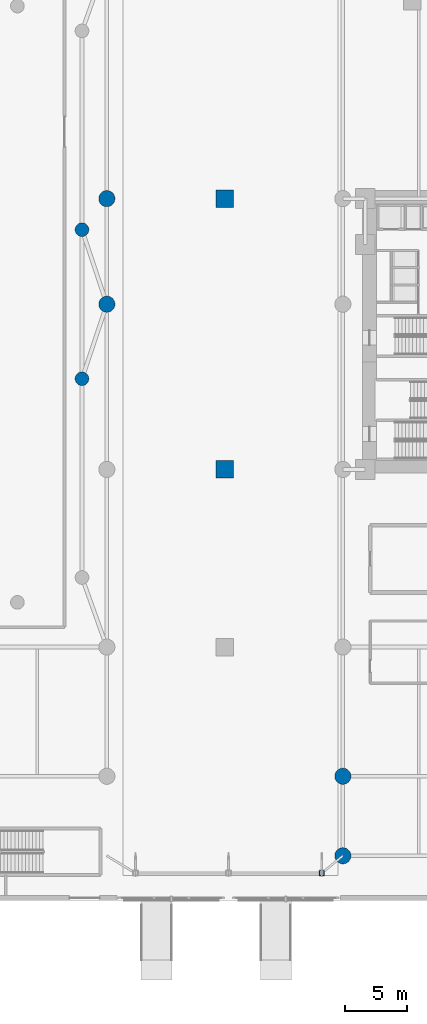
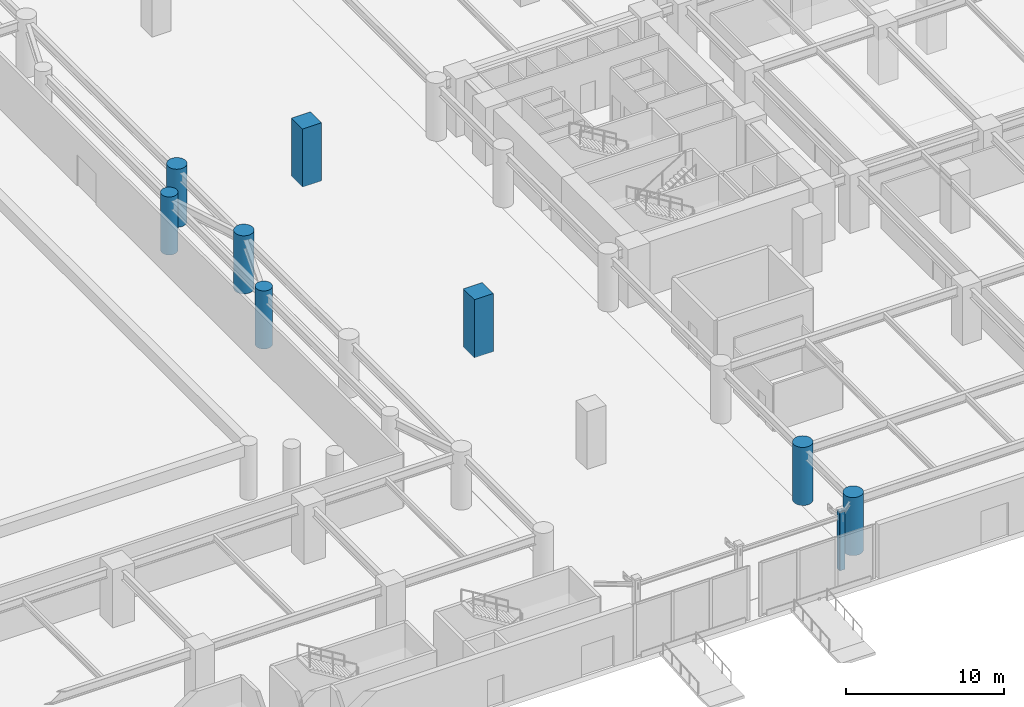
# One storey, part 4 of 42: 9 columns.
"""IFC4 building model written with IfcOpenShell, lengths in metres."""

from ifc_helpers import new_model, si_unit, direction, frame, origin, origin_2d, place, context, subcontext, project, spatial, rectangle, hollow_rectangle, circle, extrude, material, material_profile, profile_set, type_object, element, save


model = new_model("IFC4")

# Units and contexts
model_context = context("Model", 3, precision=1e-05, world=origin(), true_north=direction((0.0, 1.0)))
body_context = subcontext(model_context, "Body", "Model", "MODEL_VIEW")
ifc_project = project(units=[si_unit("LENGTHUNIT", "METRE"), si_unit("AREAUNIT", "SQUARE_METRE"), si_unit("VOLUMEUNIT", "CUBIC_METRE"), si_unit("PLANEANGLEUNIT", "RADIAN"), si_unit("MASSUNIT", "GRAM", prefix="KILO")], contexts=[model_context])

# Site, building, storey
site_placement = place(None, origin())
site = spatial("IfcSite", under=ifc_project, at=site_placement, CompositionType="ELEMENT")
building_placement = place(site_placement, origin())
building = spatial("IfcBuilding", under=site, at=building_placement, Name="Narakoshi Arena Tower", CompositionType="ELEMENT")
storey_placement = place(building_placement, origin())
storey = spatial("IfcBuildingStorey", under=building, at=storey_placement, Name="L00", CompositionType="ELEMENT", Elevation=0.0)

# Columns
ifc_material_1 = material(Name="Concrete C50/60", Category="concrete")
ifc_material_profile_1 = material_profile(ifc_material_1, circle(Radius=0.550048828125, at=origin_2d()), Name="RCC1100")
ifc_profile_set_1 = profile_set([ifc_material_profile_1], Name="Concrete C50/60")
column_type_1 = type_object("IfcColumnType", Name="COL-CIR1100", PredefinedType="PILASTER", material=ifc_profile_set_1)
for number, where, z_axis, x_axis, name in (
    (1, (49.199951171875, 42.0, 0.0), (0.0, 0.0, 1.0), (1.0, 0.0, 0.0), "L00 Arena Foyer Pilaster Column 02"),
    (2, (49.199951171875, 54.0, 0.0), (0.0, 0.0, 1.0), (1.0, 0.0, 0.0), "L00 Arena Foyer Pilaster Column 03"),
):
    element("IfcColumn", number, at=place(storey_placement, frame(where, z_axis=z_axis, x_axis=x_axis)), inside=storey, type_object=column_type_1, Name=name, PredefinedType="PILASTER", context=body_context, shape_type="SweptSolid", body=[
        extrude(circle(Radius=0.550048828125, at=origin_2d()), origin(), (0.0, 0.0, 1.0), 4.5),
    ])
ifc_material_2 = material(Name="Concrete C60/75", Category="concrete")
ifc_material_profile_2 = material_profile(ifc_material_2, circle(Radius=0.64990234375, at=origin_2d()), Name="RCC1300")
ifc_profile_set_2 = profile_set([ifc_material_profile_2], Name="Concrete C60/75")
column_type_2 = type_object("IfcColumnType", Name="COL-CIR1300", PredefinedType="PILASTER", material=ifc_profile_set_2)
for number, where, z_axis, x_axis, name in (
    (3, (51.199951171875, 48.0, 0.0), (0.0, 0.0, 1.0), (1.0, 0.0, 0.0), "L00 Podium Column PC25"),
    (4, (51.199951171875, 56.5, 0.0), (0.0, 0.0, 1.0), (1.0, 0.0, 0.0), "L00 Podium Column PC26"),
    (5, (70.199951171875, 3.60009765625, 0.0), (0.0, 0.0, 1.0), (1.0, 0.0, 0.0), "L00 Podium Column PC33"),
    (6, (70.199951171875, 10.0, 0.0), (0.0, 0.0, 1.0), (1.0, 0.0, 0.0), "L00 Podium Column PC34"),
):
    element("IfcColumn", number, at=place(storey_placement, frame(where, z_axis=z_axis, x_axis=x_axis)), inside=storey, type_object=column_type_2, Name=name, PredefinedType="PILASTER", context=body_context, shape_type="SweptSolid", body=[
        extrude(circle(Radius=0.64990234375, at=origin_2d()), origin(), (0.0, 0.0, 1.0), 4.5),
    ])
ifc_material_profile_3 = material_profile(ifc_material_2, rectangle(XDim=1.39990234375, YDim=1.39990234375, at=origin_2d()), Name="RC1400x1400")
ifc_profile_set_3 = profile_set([ifc_material_profile_3], Name="Concrete C60/75")
column_type_3 = type_object("IfcColumnType", Name="COL-RC1400", PredefinedType="COLUMN", material=ifc_profile_set_3)
for number, where, z_axis, x_axis, name in (
    (7, (60.699951171875, 34.699951171875, 0.0), (0.0, 0.0, 1.0), (1.0, 0.0, 0.0), "L00 Podium Column PC30"),
    (8, (60.699951171875, 56.5, 0.0), (0.0, 0.0, 1.0), (1.0, 0.0, 0.0), "L00 Podium Column PC31"),
):
    element("IfcColumn", number, at=place(storey_placement, frame(where, z_axis=z_axis, x_axis=x_axis)), inside=storey, type_object=column_type_3, Name=name, PredefinedType="COLUMN", context=body_context, shape_type="SweptSolid", body=[
        extrude(rectangle(XDim=1.39990234375, YDim=1.39990234375, at=origin_2d()), origin(), (0.0, 0.0, 1.0), 4.5),
    ])
ifc_material_3 = material(Name="Structural steel S355J2", Category="steel")
ifc_material_profile_4 = material_profile(ifc_material_3, hollow_rectangle(XDim=0.39990234375, YDim=0.39990234375, WallThickness=0.02001953125, OuterFilletRadius=0.0400390625, at=origin_2d()), Name="SHS400x400x20")
ifc_profile_set_4 = profile_set([ifc_material_profile_4], Name="Structural steel S355J2")
column_type_4 = type_object("IfcColumnType", Name="COL-SHS400", PredefinedType="COLUMN", material=ifc_profile_set_4)
column_placement = place(storey_placement, frame((68.5, 2.199951171875, 0.0), z_axis=(0.0, 0.0, 1.0), x_axis=(1.0, 0.0, 0.0)))
element("IfcColumn", 9, at=column_placement, inside=storey, type_object=column_type_4, Name="L00 Concourse Canopy Column CAN03", PredefinedType="COLUMN", context=body_context, shape_type="SweptSolid", body=[
    extrude(hollow_rectangle(XDim=0.39990234375, YDim=0.39990234375, WallThickness=0.02001953125, OuterFilletRadius=0.0400390625, at=origin_2d()), origin(), (0.0, 0.0, 1.0), 4.5),
])

save(model, "model.ifc")
